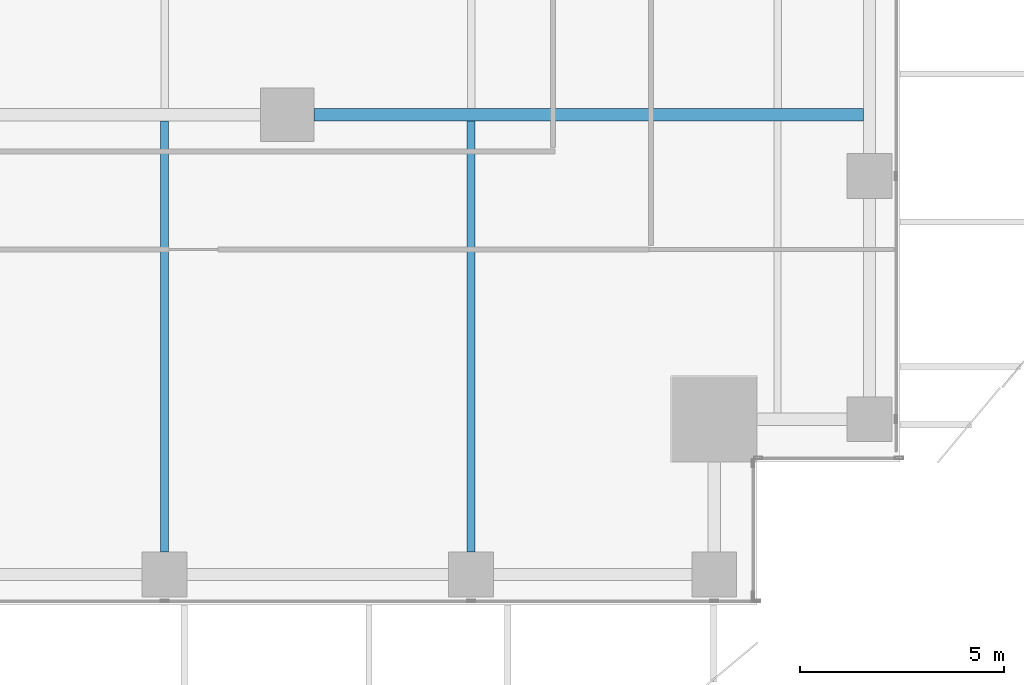
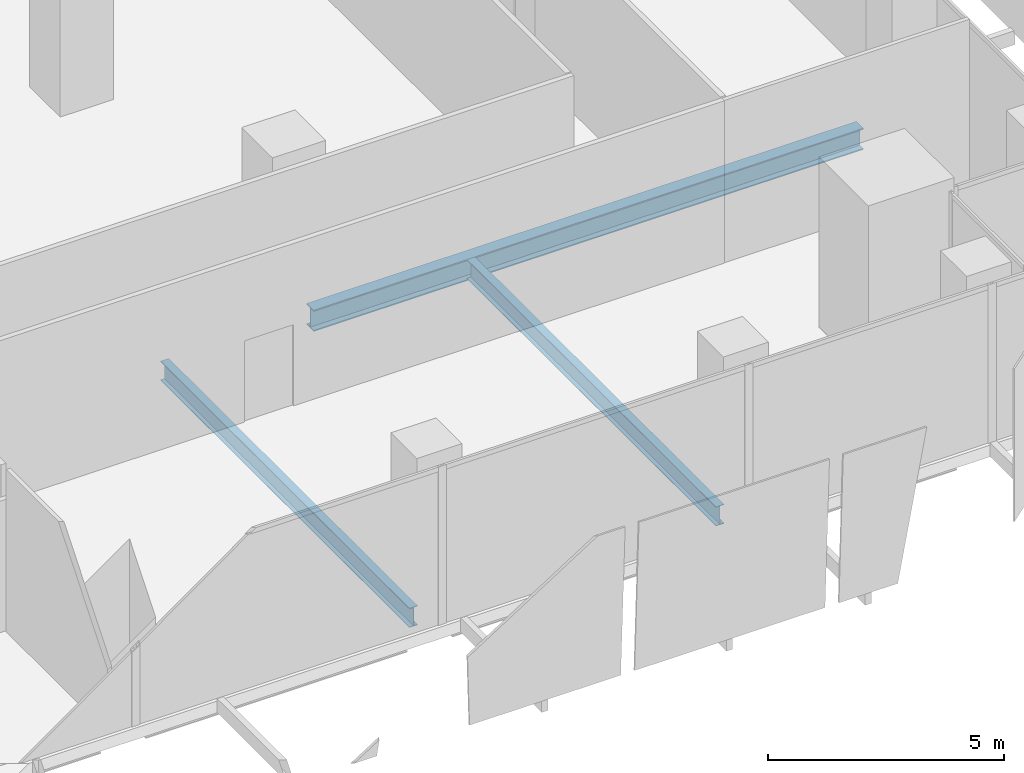
# One storey, part 10 of 34: 3 beams.
"""IFC4 building model written with IfcOpenShell, lengths in metres."""

from ifc_helpers import new_model, si_unit, direction, frame, origin, origin_2d, place, context, subcontext, project, spatial, i_section, extrude, source, transform, mapped, material, material_profile, profile_set, type_object, element, save


model = new_model("IFC4")

# Units and contexts
model_context = context("Model", 3, precision=1e-05, world=origin(), true_north=direction((0.0, 1.0)))
body_context = subcontext(model_context, "Body", "Model", "MODEL_VIEW")
ifc_project = project(units=[si_unit("LENGTHUNIT", "METRE"), si_unit("AREAUNIT", "SQUARE_METRE"), si_unit("VOLUMEUNIT", "CUBIC_METRE"), si_unit("PLANEANGLEUNIT", "RADIAN"), si_unit("MASSUNIT", "GRAM", prefix="KILO")], contexts=[model_context])

# Site, building, storey
site_placement = place(None, origin())
site = spatial("IfcSite", under=ifc_project, at=site_placement, CompositionType="ELEMENT")
building_placement = place(site_placement, origin())
building = spatial("IfcBuilding", under=site, at=building_placement, Name="Khomas Fold Tower", CompositionType="ELEMENT")
storey_placement = place(building_placement, frame((0.0, 0.0, 154.300048828125)))
storey = spatial("IfcBuildingStorey", under=building, at=storey_placement, Name="L33", CompositionType="ELEMENT", Elevation=154.300048828125)

# Beams
ifc_material_1 = material(Name="Steel S355", Category="steel")
ifc_material_profile_1 = material_profile(ifc_material_1, i_section(OverallWidth=0.300048828125, OverallDepth=0.550048828125, WebThickness=0.014892578125, FlangeThickness=0.029052734375, at=origin_2d()), Name="HE 550 B")
ifc_profile_set_1 = profile_set([ifc_material_profile_1], Name="Steel S355")
beam_type_1 = type_object("IfcBeamType", Name="HE 550 B beam GB4", PredefinedType="BEAM", material=ifc_profile_set_1)
shared_shape_1 = source(origin(), body_context, "Body", "SweptSolid", [
    extrude(i_section(OverallWidth=0.300048828125, OverallDepth=0.550048828125, WebThickness=0.014892578125, FlangeThickness=0.029052734375, at=origin_2d()), origin(), (0.0, 0.0, 1.0), 13.4501953125),
])
beam_placement = place(storey_placement, frame((38.14990234375, 13.5, -0.574951171875), z_axis=(1.0, 0.0, 0.0), x_axis=(0.0, 1.0, 0.0)))
element("IfcBeam", 1, at=beam_placement, inside=storey, type_object=beam_type_1, Name="GB4", PredefinedType="BEAM", context=body_context, shape_type="MappedRepresentation", body=[
    mapped(shared_shape_1, transform((0.0, 0.0, 0.0))),
])
ifc_material_2 = material(Name="Steel S355", Category="steel")
ifc_material_profile_2 = material_profile(ifc_material_2, i_section(OverallWidth=0.199951171875, OverallDepth=0.5, WebThickness=0.01025390625, FlangeThickness=0.01611328125, at=origin_2d()), Name="IPE 500")
ifc_profile_set_2 = profile_set([ifc_material_profile_2], Name="Steel S355")
beam_type_2 = type_object("IfcBeamType", Name="IPE 500 beam JB5", PredefinedType="BEAM", material=ifc_profile_set_2)
shared_shape_2 = source(origin(), body_context, "Body", "SweptSolid", [
    extrude(i_section(OverallWidth=0.199951171875, OverallDepth=0.5, WebThickness=0.01025390625, FlangeThickness=0.01611328125, at=origin_2d()), origin(), (0.0, 0.0, 1.0), 10.550048828125),
])
for number, where, z_axis, x_axis, name in (
    (2, (34.5, 2.800048828125, -0.550048828125), (0.0, 1.0, 0.0), (-1.0, 0.0, 0.0), "JB5"),
    (3, (42.0, 2.800048828125, -0.550048828125), (0.0, 1.0, 0.0), (-1.0, 0.0, 0.0), "JB5"),
):
    element("IfcBeam", number, at=place(storey_placement, frame(where, z_axis=z_axis, x_axis=x_axis)), inside=storey, type_object=beam_type_2, Name=name, PredefinedType="BEAM", context=body_context, shape_type="MappedRepresentation", body=[
        mapped(shared_shape_2, transform((0.0, 0.0, 0.0))),
    ])

save(model, "model.ifc")
